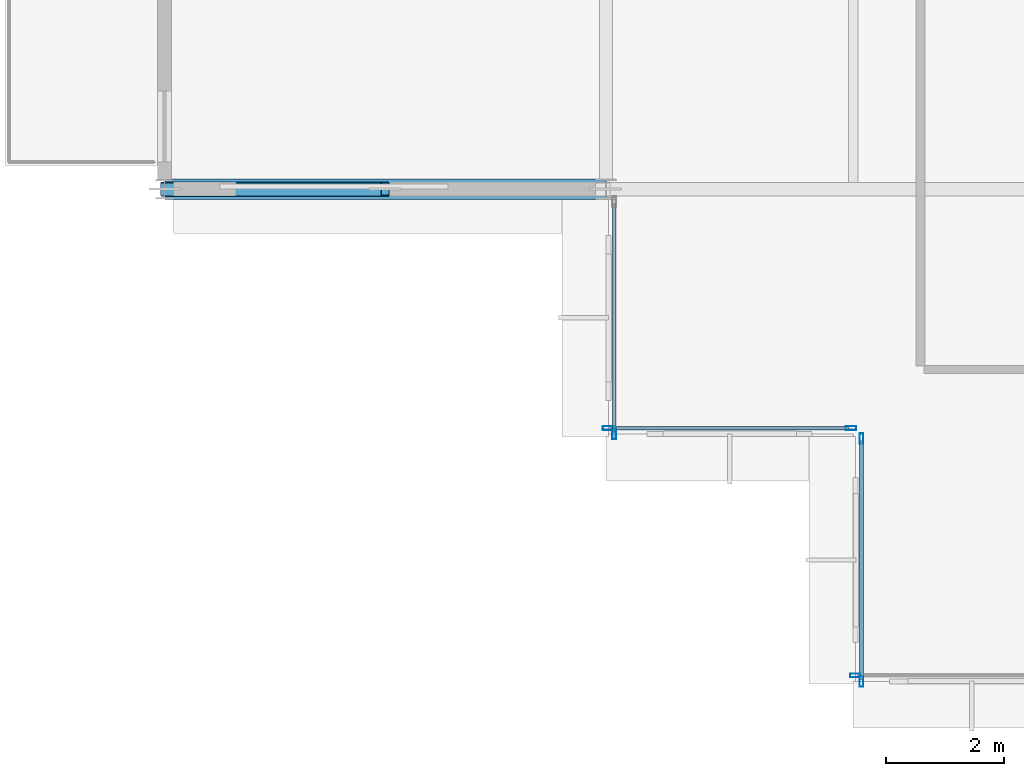
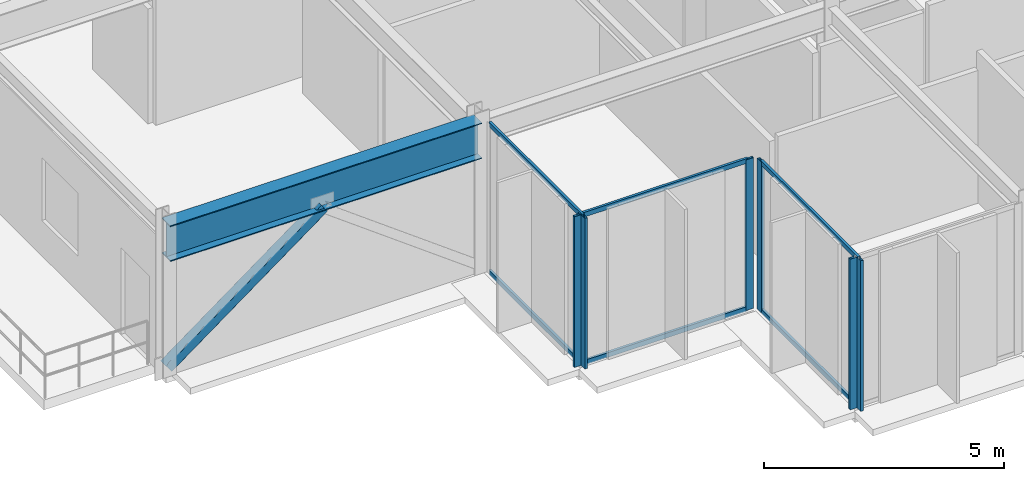
# One storey, part 3 of 30: 13 members, 1 beam, 4 elements without a shape of their own.
"""IFC4 building model written with IfcOpenShell, lengths in metres."""

from ifc_helpers import new_model, si_unit, direction, frame, origin, origin_2d, place, context, subcontext, project, spatial, hollow_rectangle, i_section, extrude, material, layer, layer_set, material_profile, profile_set, type_object, element, aggregate, save


model = new_model("IFC4")

# Units and contexts
model_context = context("Model", 3, precision=1e-05, world=origin(), true_north=direction((0.0, 1.0)))
body_context = subcontext(model_context, "Body", "Model", "MODEL_VIEW")
ifc_project = project(units=[si_unit("LENGTHUNIT", "METRE"), si_unit("AREAUNIT", "SQUARE_METRE"), si_unit("VOLUMEUNIT", "CUBIC_METRE"), si_unit("PLANEANGLEUNIT", "RADIAN"), si_unit("MASSUNIT", "GRAM", prefix="KILO")], contexts=[model_context])

# Site, building, storey
site_placement = place(None, origin())
site = spatial("IfcSite", under=ifc_project, at=site_placement, CompositionType="ELEMENT")
building_placement = place(site_placement, origin())
building = spatial("IfcBuilding", under=site, at=building_placement, Name="Nerrivon Quay Data Exchange", CompositionType="ELEMENT")
storey_placement = place(building_placement, frame((0.0, 0.0, 171.39990234375)))
storey = spatial("IfcBuildingStorey", under=building, at=storey_placement, Name="L40", CompositionType="ELEMENT", Elevation=171.39990234375)

# Beam
ifc_material_1 = material(Name="Steel Grade 350", Category="steel")
ifc_material_profile_1 = material_profile(ifc_material_1, i_section(OverallWidth=0.35009765625, OverallDepth=0.909912109375, WebThickness=0.011962890625, FlangeThickness=0.02490234375, at=origin_2d()), Name="900WB218")
ifc_profile_set_1 = profile_set([ifc_material_profile_1], Name="Steel Grade 350")
beam_type = type_object("IfcBeamType", Name="BM-CANT-900WB", PredefinedType="USERDEFINED", material=ifc_profile_set_1)
beam_placement = place(storey_placement, frame((-0.010009765625, 8.39990234375, 3.3701171875), z_axis=(-1.0, 0.0, 0.0), x_axis=(0.0, -1.0, 0.0)))
element("IfcBeam", 1, at=beam_placement, inside=storey, type_object=beam_type, Name="L40 West Hooked Cantilever Girder Y=8.4", ObjectType="TRANSFER", PredefinedType="USERDEFINED", context=body_context, shape_type="SweptSolid", body=[
    extrude(i_section(OverallWidth=0.35009765625, OverallDepth=0.909912109375, WebThickness=0.011962890625, FlangeThickness=0.02490234375, at=origin_2d()), origin(), (0.0, 0.0, 1.0), 7.482177734375),
])

# Curtain wall, member
ifc_material_2 = material(Name="Anodised aluminium 6063-T6", Category="aluminium")
ifc_layer = layer(ifc_material_2, 0.195068359375)
ifc_layer_set = layer_set([ifc_layer], Name="Anodised aluminium 6063-T6")
curtain_wall_type = type_object("IfcCurtainWallType", Name="CW-SYS-06", PredefinedType="NOTDEFINED", material=ifc_layer_set)
curtain_wall_1_placement = place(storey_placement, origin())
curtain_wall_1 = element("IfcCurtainWall", 2, at=curtain_wall_1_placement, inside=storey, type_object=curtain_wall_type, Name="L40 Unitised Curtain Wall 28", PredefinedType="NOTDEFINED")
ifc_material_profile_2 = material_profile(ifc_material_2, hollow_rectangle(XDim=0.06494140625, YDim=0.179931640625, WallThickness=0.00341796875, at=origin_2d()), Name="ALU-MULL-180x65")
ifc_profile_set_2 = profile_set([ifc_material_profile_2], Name="Anodised aluminium 6063-T6")
member_type_1 = type_object("IfcMemberType", Name="CWM-180x65", PredefinedType="MULLION", material=ifc_profile_set_2)
member_1_placement = place(storey_placement, frame((4.237548828125, 0.139892578125, 0.0), z_axis=(0.0, 0.0, 1.0), x_axis=(0.0, -1.0, 0.0)))
member_1 = element("IfcMember", 3, at=member_1_placement, type_object=member_type_1, Name="CW06 mullion 2", PredefinedType="MULLION", context=body_context, shape_type="SweptSolid", body=[
    extrude(hollow_rectangle(XDim=0.06494140625, YDim=0.179931640625, WallThickness=0.00341796875, at=origin_2d()), origin(), (0.0, 0.0, 1.0), 3.8251953125),
])
aggregate(curtain_wall_1, [member_1])

# Curtain wall, members
curtain_wall_2_placement = place(storey_placement, origin())
curtain_wall_2 = element("IfcCurtainWall", 4, at=curtain_wall_2_placement, inside=storey, type_object=curtain_wall_type, Name="L40 Unitised Curtain Wall 29", PredefinedType="NOTDEFINED")
member_2_placement = place(storey_placement, frame((4.340087890625, 0.03759765625, 0.0), z_axis=(0.0, 0.0, 1.0), x_axis=(-1.0, 0.0, 0.0)))
member_2 = element("IfcMember", 5, at=member_2_placement, type_object=member_type_1, Name="CW06 mullion 1", PredefinedType="MULLION", context=body_context, shape_type="SweptSolid", body=[
    extrude(hollow_rectangle(XDim=0.06494140625, YDim=0.179931640625, WallThickness=0.00341796875, at=origin_2d()), origin(), (0.0, 0.0, 1.0), 3.8251953125),
])
member_3_placement = place(storey_placement, frame((4.340087890625, 4.16259765625, 0.0), z_axis=(0.0, 0.0, 1.0), x_axis=(-1.0, 0.0, 0.0)))
member_3 = element("IfcMember", 6, at=member_3_placement, type_object=member_type_1, Name="CW06 mullion 2", PredefinedType="MULLION", context=body_context, shape_type="SweptSolid", body=[
    extrude(hollow_rectangle(XDim=0.06494140625, YDim=0.179931640625, WallThickness=0.00341796875, at=origin_2d()), origin(), (0.0, 0.0, 1.0), 3.8251953125),
])

curtain_wall_3_placement = place(storey_placement, origin())
curtain_wall_3 = element("IfcCurtainWall", 7, at=curtain_wall_3_placement, inside=storey, type_object=curtain_wall_type, Name="L40 Unitised Curtain Wall 30", PredefinedType="NOTDEFINED")
member_4_placement = place(storey_placement, frame((4.16259765625, 4.340087890625, 0.0), z_axis=(0.0, 0.0, 1.0), x_axis=(0.0, -1.0, 0.0)))
member_4 = element("IfcMember", 8, at=member_4_placement, type_object=member_type_1, Name="CW06 mullion 1", PredefinedType="MULLION", context=body_context, shape_type="SweptSolid", body=[
    extrude(hollow_rectangle(XDim=0.06494140625, YDim=0.179931640625, WallThickness=0.00341796875, at=origin_2d()), origin(), (0.0, 0.0, 1.0), 3.8251953125),
])
member_5_placement = place(storey_placement, frame((0.03759765625, 4.340087890625, 0.0), z_axis=(0.0, 0.0, 1.0), x_axis=(0.0, -1.0, 0.0)))
member_5 = element("IfcMember", 9, at=member_5_placement, type_object=member_type_1, Name="CW06 mullion 2", PredefinedType="MULLION", context=body_context, shape_type="SweptSolid", body=[
    extrude(hollow_rectangle(XDim=0.06494140625, YDim=0.179931640625, WallThickness=0.00341796875, at=origin_2d()), origin(), (0.0, 0.0, 1.0), 3.8251953125),
])

# Curtain wall, member
curtain_wall_4_placement = place(storey_placement, origin())
curtain_wall_4 = element("IfcCurtainWall", 10, at=curtain_wall_4_placement, inside=storey, type_object=curtain_wall_type, Name="L40 Unitised Curtain Wall 31", PredefinedType="NOTDEFINED")
member_6_placement = place(storey_placement, frame((0.139892578125, 4.237548828125, 0.0), z_axis=(0.0, 0.0, 1.0), x_axis=(-1.0, 0.0, 0.0)))
member_6 = element("IfcMember", 11, at=member_6_placement, type_object=member_type_1, Name="CW06 mullion 1", PredefinedType="MULLION", context=body_context, shape_type="SweptSolid", body=[
    extrude(hollow_rectangle(XDim=0.06494140625, YDim=0.179931640625, WallThickness=0.00341796875, at=origin_2d()), origin(), (0.0, 0.0, 1.0), 3.8251953125),
])

# Member
ifc_material_profile_3 = material_profile(ifc_material_2, hollow_rectangle(XDim=0.06005859375, YDim=0.1201171875, WallThickness=0.003173828125, at=origin_2d()), Name="ALU-TRAN-120x60")
ifc_profile_set_3 = profile_set([ifc_material_profile_3], Name="Anodised aluminium 6063-T6")
member_type_2 = type_object("IfcMemberType", Name="CWT-120x60", PredefinedType="USERDEFINED", material=ifc_profile_set_3)
member_7_placement = place(storey_placement, frame((4.340087890625, 0.074951171875, 0.03271484375), z_axis=(0.0, 1.0, 0.0), x_axis=(-1.0, 0.0, 0.0)))
member_7 = element("IfcMember", 12, at=member_7_placement, type_object=member_type_2, Name="CW06 transom 1.1", ObjectType="TRANSOM", PredefinedType="USERDEFINED", context=body_context, shape_type="SweptSolid", body=[
    extrude(hollow_rectangle(XDim=0.06005859375, YDim=0.1201171875, WallThickness=0.003173828125, at=origin_2d()), origin(), (0.0, 0.0, 1.0), 4.050048828125),
])

member_8_placement = place(storey_placement, frame((4.340087890625, 0.074951171875, 3.79248046875), z_axis=(0.0, 1.0, 0.0), x_axis=(-1.0, 0.0, 0.0)))
member_8 = element("IfcMember", 13, at=member_8_placement, type_object=member_type_2, Name="CW06 transom 1.2", ObjectType="TRANSOM", PredefinedType="USERDEFINED", context=body_context, shape_type="SweptSolid", body=[
    extrude(hollow_rectangle(XDim=0.06005859375, YDim=0.1201171875, WallThickness=0.003173828125, at=origin_2d()), origin(), (0.0, 0.0, 1.0), 4.050048828125),
])

aggregate(curtain_wall_2, [member_2, member_3, member_7, member_8])

member_9_placement = place(storey_placement, frame((4.125, 4.340087890625, 0.03271484375), z_axis=(-1.0, 0.0, 0.0), x_axis=(0.0, -1.0, 0.0)))
member_9 = element("IfcMember", 14, at=member_9_placement, type_object=member_type_2, Name="CW06 transom 1.1", ObjectType="TRANSOM", PredefinedType="USERDEFINED", context=body_context, shape_type="SweptSolid", body=[
    extrude(hollow_rectangle(XDim=0.06005859375, YDim=0.1201171875, WallThickness=0.003173828125, at=origin_2d()), origin(), (0.0, 0.0, 1.0), 4.050048828125),
])

member_10_placement = place(storey_placement, frame((4.125, 4.340087890625, 3.79248046875), z_axis=(-1.0, 0.0, 0.0), x_axis=(0.0, -1.0, 0.0)))
member_10 = element("IfcMember", 15, at=member_10_placement, type_object=member_type_2, Name="CW06 transom 1.2", ObjectType="TRANSOM", PredefinedType="USERDEFINED", context=body_context, shape_type="SweptSolid", body=[
    extrude(hollow_rectangle(XDim=0.06005859375, YDim=0.1201171875, WallThickness=0.003173828125, at=origin_2d()), origin(), (0.0, 0.0, 1.0), 4.050048828125),
])

aggregate(curtain_wall_3, [member_4, member_5, member_9, member_10])

member_11_placement = place(storey_placement, frame((0.139892578125, 4.27490234375, 0.03271484375), z_axis=(0.0, 1.0, 0.0), x_axis=(-1.0, 0.0, 0.0)))
member_11 = element("IfcMember", 16, at=member_11_placement, type_object=member_type_2, Name="CW06 transom 1.1", ObjectType="TRANSOM", PredefinedType="USERDEFINED", context=body_context, shape_type="SweptSolid", body=[
    extrude(hollow_rectangle(XDim=0.06005859375, YDim=0.1201171875, WallThickness=0.003173828125, at=origin_2d()), origin(), (0.0, 0.0, 1.0), 3.875),
])

member_12_placement = place(storey_placement, frame((0.139892578125, 4.27490234375, 3.79248046875), z_axis=(0.0, 1.0, 0.0), x_axis=(-1.0, 0.0, 0.0)))
member_12 = element("IfcMember", 17, at=member_12_placement, type_object=member_type_2, Name="CW06 transom 1.2", ObjectType="TRANSOM", PredefinedType="USERDEFINED", context=body_context, shape_type="SweptSolid", body=[
    extrude(hollow_rectangle(XDim=0.06005859375, YDim=0.1201171875, WallThickness=0.003173828125, at=origin_2d()), origin(), (0.0, 0.0, 1.0), 3.875),
])

aggregate(curtain_wall_4, [member_6, member_11, member_12])

ifc_material_3 = material(Name="Steel Grade C350L0 (350 MPa)", Category="steel")
ifc_material_profile_4 = material_profile(ifc_material_3, hollow_rectangle(XDim=0.25, YDim=0.25, WallThickness=0.012451171875, InnerFilletRadius=0.018798828125, OuterFilletRadius=0.03125, at=origin_2d()), Name="250x250x12.5SHS")
ifc_profile_set_4 = profile_set([ifc_material_profile_4], Name="Steel Grade C350L0 (350 MPa)")
member_type_3 = type_object("IfcMemberType", Name="MEM-WB1-250SHS", PredefinedType="BRACE", material=ifc_profile_set_4)
member_13_placement = place(storey_placement, frame((-7.4921875, 8.39990234375, 0.16015625), z_axis=(0.80428626692, 0.0, 0.59424203894), x_axis=(0.0, 1.0, 0.0)))
element("IfcMember", 18, at=member_13_placement, inside=storey, type_object=member_type_3, Name="L40 structural brace BR-L40-WHOOK-084B", PredefinedType="BRACE", context=body_context, shape_type="SweptSolid", body=[
    extrude(hollow_rectangle(XDim=0.25, YDim=0.25, WallThickness=0.012451171875, InnerFilletRadius=0.018798828125, OuterFilletRadius=0.03125, at=origin_2d()), origin(), (0.0, 0.0, 1.0), 4.65283203125),
])

save(model, "model.ifc")
